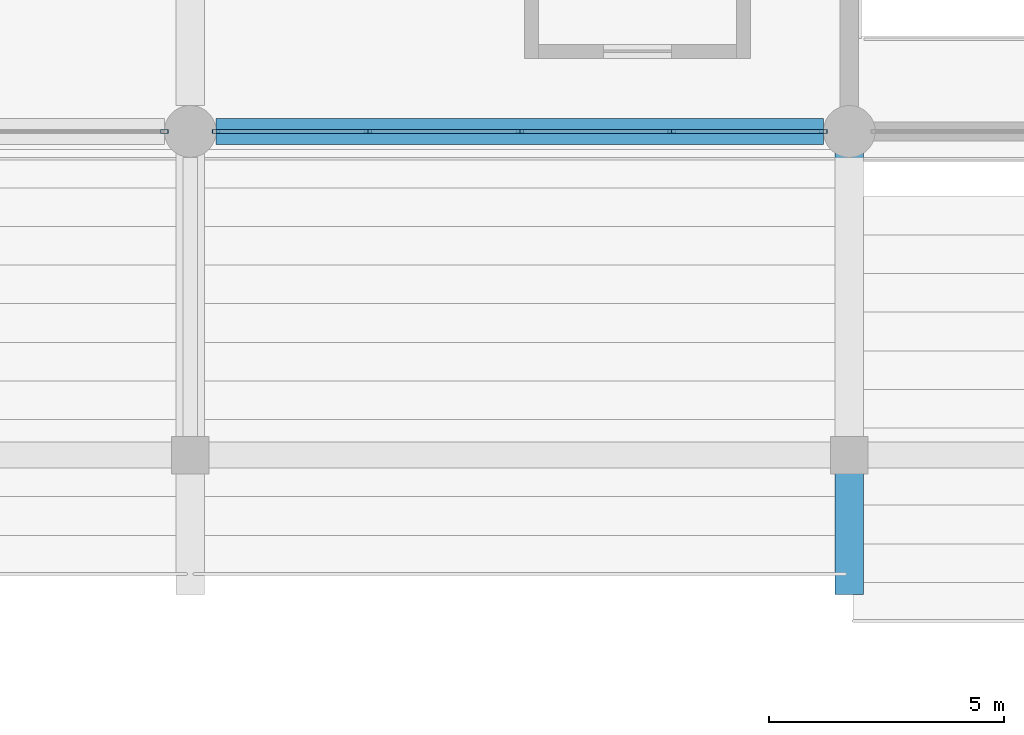
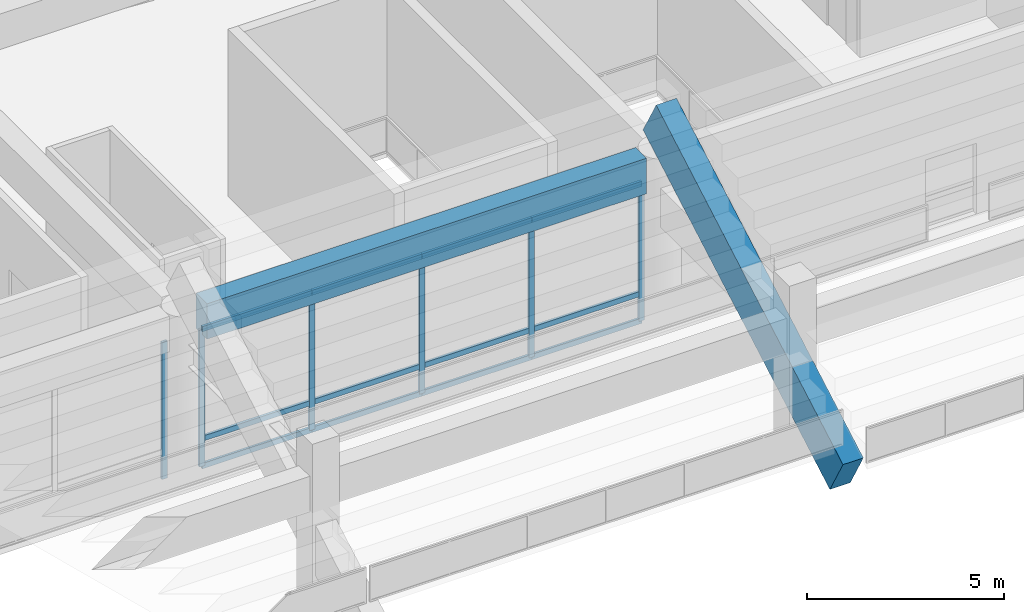
# One storey, part 51 of 90: 18 members, 2 beams, 2 elements without a shape of their own.
"""IFC4 building model written with IfcOpenShell, lengths in metres."""

from ifc_helpers import new_model, si_unit, direction, frame, origin, origin_2d, place, context, subcontext, project, spatial, rectangle, hollow_rectangle, extrude, material, material_profile, profile_set, type_object, element, aggregate, save


model = new_model("IFC4")

# Units and contexts
model_context = context("Model", 3, precision=1e-05, world=origin(), true_north=direction((0.0, 1.0)))
body_context = subcontext(model_context, "Body", "Model", "MODEL_VIEW")
ifc_project = project(units=[si_unit("LENGTHUNIT", "METRE"), si_unit("AREAUNIT", "SQUARE_METRE"), si_unit("VOLUMEUNIT", "CUBIC_METRE"), si_unit("PLANEANGLEUNIT", "RADIAN"), si_unit("MASSUNIT", "GRAM", prefix="KILO")], contexts=[model_context])

# Site, building, storey
site_placement = place(None, origin())
site = spatial("IfcSite", under=ifc_project, at=site_placement, CompositionType="ELEMENT")
building_placement = place(site_placement, origin())
building = spatial("IfcBuilding", under=site, at=building_placement, Name="Linyun Crest Stadium", CompositionType="ELEMENT")
storey_placement = place(building_placement, frame((0.0, 0.0, 21.0)))
storey = spatial("IfcBuildingStorey", under=building, at=storey_placement, Name="L05", CompositionType="ELEMENT", Elevation=21.0)

# Curtain wall, member
ifc_material_1 = material(Name="Verdigris steel and low-E curtain wall assembly", Category="steel")
curtain_wall_type = type_object("IfcCurtainWallType", Name="MCW03", PredefinedType="NOTDEFINED", material=ifc_material_1)
curtain_wall_1_placement = place(storey_placement, origin())
curtain_wall_1 = element("IfcCurtainWall", 1, at=curtain_wall_1_placement, inside=storey, type_object=curtain_wall_type, Name="CWR-137", PredefinedType="NOTDEFINED")
ifc_material_2 = material(Name="Aluminium thermally broken mullion", Category="aluminium")
ifc_material_profile_1 = material_profile(ifc_material_2, hollow_rectangle(XDim=0.080078125, YDim=0.159912109375, WallThickness=0.006103515625, at=origin_2d()), Name="RHS 160x80x6")
ifc_profile_set_1 = profile_set([ifc_material_profile_1], Name="Aluminium thermally broken mullion")
member_type_1 = type_object("IfcMemberType", Name="ML01", PredefinedType="MULLION", material=ifc_profile_set_1)
member_1_placement = place(storey_placement, frame((-0.550048828125, 91.5, 0.0), z_axis=(0.0, 0.0, 1.0), x_axis=(0.0, 1.0, 0.0)))
member_1 = element("IfcMember", 2, at=member_1_placement, type_object=member_type_1, Name="CWR-137 mullion 5", PredefinedType="MULLION", context=body_context, shape_type="SweptSolid", body=[
    extrude(hollow_rectangle(XDim=0.080078125, YDim=0.159912109375, WallThickness=0.006103515625, at=origin_2d()), origin(), (0.0, 0.0, 1.0), 4.25),
])
aggregate(curtain_wall_1, [member_1])

# Curtain wall, members
curtain_wall_2_placement = place(storey_placement, origin())
curtain_wall_2 = element("IfcCurtainWall", 3, at=curtain_wall_2_placement, inside=storey, type_object=curtain_wall_type, Name="CWR-144", PredefinedType="NOTDEFINED")
member_2_placement = place(storey_placement, frame((0.550048828125, 91.5, 0.0), z_axis=(0.0, 0.0, 1.0), x_axis=(0.0, 1.0, 0.0)))
member_2 = element("IfcMember", 4, at=member_2_placement, type_object=member_type_1, Name="CWR-144 mullion 1", PredefinedType="MULLION", context=body_context, shape_type="SweptSolid", body=[
    extrude(hollow_rectangle(XDim=0.080078125, YDim=0.159912109375, WallThickness=0.006103515625, at=origin_2d()), origin(), (0.0, 0.0, 1.0), 4.25),
])
member_3_placement = place(storey_placement, frame((3.77490234375, 91.5, 0.0), z_axis=(0.0, 0.0, 1.0), x_axis=(0.0, 1.0, 0.0)))
member_3 = element("IfcMember", 5, at=member_3_placement, type_object=member_type_1, Name="CWR-144 mullion 2", PredefinedType="MULLION", context=body_context, shape_type="SweptSolid", body=[
    extrude(hollow_rectangle(XDim=0.080078125, YDim=0.159912109375, WallThickness=0.006103515625, at=origin_2d()), origin(), (0.0, 0.0, 1.0), 4.25),
])
member_4_placement = place(storey_placement, frame((7.0, 91.5, 0.0), z_axis=(0.0, 0.0, 1.0), x_axis=(0.0, 1.0, 0.0)))
member_4 = element("IfcMember", 6, at=member_4_placement, type_object=member_type_1, Name="CWR-144 mullion 3", PredefinedType="MULLION", context=body_context, shape_type="SweptSolid", body=[
    extrude(hollow_rectangle(XDim=0.080078125, YDim=0.159912109375, WallThickness=0.006103515625, at=origin_2d()), origin(), (0.0, 0.0, 1.0), 4.25),
])
member_5_placement = place(storey_placement, frame((10.22509765625, 91.5, 0.0), z_axis=(0.0, 0.0, 1.0), x_axis=(0.0, 1.0, 0.0)))
member_5 = element("IfcMember", 7, at=member_5_placement, type_object=member_type_1, Name="CWR-144 mullion 4", PredefinedType="MULLION", context=body_context, shape_type="SweptSolid", body=[
    extrude(hollow_rectangle(XDim=0.080078125, YDim=0.159912109375, WallThickness=0.006103515625, at=origin_2d()), origin(), (0.0, 0.0, 1.0), 4.25),
])
member_6_placement = place(storey_placement, frame((13.449951171875, 91.5, 0.0), z_axis=(0.0, 0.0, 1.0), x_axis=(0.0, 1.0, 0.0)))
member_6 = element("IfcMember", 8, at=member_6_placement, type_object=member_type_1, Name="CWR-144 mullion 5", PredefinedType="MULLION", context=body_context, shape_type="SweptSolid", body=[
    extrude(hollow_rectangle(XDim=0.080078125, YDim=0.159912109375, WallThickness=0.006103515625, at=origin_2d()), origin(), (0.0, 0.0, 1.0), 4.25),
])

# Beams
ifc_material_3 = material(Name="Precast concrete C50", Category="concrete")
ifc_material_profile_2 = material_profile(ifc_material_3, rectangle(XDim=0.60009765625, YDim=1.35009765625, at=origin_2d()), Name="PCR 1350x600")
ifc_profile_set_2 = profile_set([ifc_material_profile_2], Name="Precast concrete C50")
beam_type_1 = type_object("IfcBeamType", Name="RB03", PredefinedType="USERDEFINED", material=ifc_profile_set_2)
beam_1_placement = place(storey_placement, frame((14.0, 82.0, 0.800048828125), z_axis=(0.0, 0.869371049884, 0.494159870511), x_axis=(-1.0, 0.0, 0.0)))
element("IfcBeam", 9, at=beam_1_placement, inside=storey, type_object=beam_type_1, Name="Precast raker beam RB03 V3 86", ObjectType="RAKER", PredefinedType="USERDEFINED", context=body_context, shape_type="SweptSolid", body=[
    extrude(rectangle(XDim=0.60009765625, YDim=1.35009765625, at=origin_2d()), origin(), (0.0, 0.0, 1.0), 10.927490234375),
])
ifc_material_4 = material(Name="Concrete C50", Category="concrete")
ifc_material_profile_3 = material_profile(ifc_material_4, rectangle(XDim=0.550048828125, YDim=1.10009765625, at=origin_2d()), Name="RCB 1100x550")
ifc_profile_set_3 = profile_set([ifc_material_profile_3], Name="Concrete C50")
beam_type_2 = type_object("IfcBeamType", Name="TB01", PredefinedType="USERDEFINED", material=ifc_profile_set_3)
beam_2_placement = place(storey_placement, frame((0.550048828125, 91.5, 4.635009765625), z_axis=(1.0, 0.0, 0.0), x_axis=(0.0, 1.0, 0.0)))
element("IfcBeam", 10, at=beam_2_placement, inside=storey, type_object=beam_type_2, Name="Frame beam TB01 L05 825", ObjectType="GIRDER", PredefinedType="USERDEFINED", context=body_context, shape_type="SweptSolid", body=[
    extrude(rectangle(XDim=0.550048828125, YDim=1.10009765625, at=origin_2d()), origin(), (0.0, 0.0, 1.0), 12.89990234375),
])

# Member
ifc_material_5 = material(Name="Aluminium thermally broken transom", Category="aluminium")
ifc_material_profile_4 = material_profile(ifc_material_5, hollow_rectangle(XDim=0.080078125, YDim=0.159912109375, WallThickness=0.006103515625, at=origin_2d()), Name="RHS 160x80x6")
ifc_profile_set_4 = profile_set([ifc_material_profile_4], Name="Aluminium thermally broken transom")
member_type_2 = type_object("IfcMemberType", Name="TR01", PredefinedType="USERDEFINED", material=ifc_profile_set_4)
member_7_placement = place(storey_placement, frame((0.550048828125, 91.5, 0.0), z_axis=(1.0, 0.0, 0.0), x_axis=(0.0, 1.0, 0.0)))
member_7 = element("IfcMember", 11, at=member_7_placement, type_object=member_type_2, Name="CWR-144 transom 1.1", ObjectType="TRANSOM", PredefinedType="USERDEFINED", context=body_context, shape_type="SweptSolid", body=[
    extrude(hollow_rectangle(XDim=0.080078125, YDim=0.159912109375, WallThickness=0.006103515625, at=origin_2d()), origin(), (0.0, 0.0, 1.0), 3.224853515625),
])

member_8_placement = place(storey_placement, frame((0.550048828125, 91.5, 0.85009765625), z_axis=(1.0, 0.0, 0.0), x_axis=(0.0, 1.0, 0.0)))
member_8 = element("IfcMember", 12, at=member_8_placement, type_object=member_type_2, Name="CWR-144 transom 1.2", ObjectType="TRANSOM", PredefinedType="USERDEFINED", context=body_context, shape_type="SweptSolid", body=[
    extrude(hollow_rectangle(XDim=0.080078125, YDim=0.159912109375, WallThickness=0.006103515625, at=origin_2d()), origin(), (0.0, 0.0, 1.0), 3.224853515625),
])

member_9_placement = place(storey_placement, frame((0.550048828125, 91.5, 4.25), z_axis=(1.0, 0.0, 0.0), x_axis=(0.0, 1.0, 0.0)))
member_9 = element("IfcMember", 13, at=member_9_placement, type_object=member_type_2, Name="CWR-144 transom 1.3", ObjectType="TRANSOM", PredefinedType="USERDEFINED", context=body_context, shape_type="SweptSolid", body=[
    extrude(hollow_rectangle(XDim=0.080078125, YDim=0.159912109375, WallThickness=0.006103515625, at=origin_2d()), origin(), (0.0, 0.0, 1.0), 3.224853515625),
])

member_10_placement = place(storey_placement, frame((3.77490234375, 91.5, 0.0), z_axis=(1.0, 0.0, 0.0), x_axis=(0.0, 1.0, 0.0)))
member_10 = element("IfcMember", 14, at=member_10_placement, type_object=member_type_2, Name="CWR-144 transom 2.1", ObjectType="TRANSOM", PredefinedType="USERDEFINED", context=body_context, shape_type="SweptSolid", body=[
    extrude(hollow_rectangle(XDim=0.080078125, YDim=0.159912109375, WallThickness=0.006103515625, at=origin_2d()), origin(), (0.0, 0.0, 1.0), 3.22509765625),
])

member_11_placement = place(storey_placement, frame((3.77490234375, 91.5, 0.85009765625), z_axis=(1.0, 0.0, 0.0), x_axis=(0.0, 1.0, 0.0)))
member_11 = element("IfcMember", 15, at=member_11_placement, type_object=member_type_2, Name="CWR-144 transom 2.2", ObjectType="TRANSOM", PredefinedType="USERDEFINED", context=body_context, shape_type="SweptSolid", body=[
    extrude(hollow_rectangle(XDim=0.080078125, YDim=0.159912109375, WallThickness=0.006103515625, at=origin_2d()), origin(), (0.0, 0.0, 1.0), 3.22509765625),
])

member_12_placement = place(storey_placement, frame((3.77490234375, 91.5, 4.25), z_axis=(1.0, 0.0, 0.0), x_axis=(0.0, 1.0, 0.0)))
member_12 = element("IfcMember", 16, at=member_12_placement, type_object=member_type_2, Name="CWR-144 transom 2.3", ObjectType="TRANSOM", PredefinedType="USERDEFINED", context=body_context, shape_type="SweptSolid", body=[
    extrude(hollow_rectangle(XDim=0.080078125, YDim=0.159912109375, WallThickness=0.006103515625, at=origin_2d()), origin(), (0.0, 0.0, 1.0), 3.22509765625),
])

member_13_placement = place(storey_placement, frame((7.0, 91.5, 0.0), z_axis=(1.0, 0.0, 0.0), x_axis=(0.0, 1.0, 0.0)))
member_13 = element("IfcMember", 17, at=member_13_placement, type_object=member_type_2, Name="CWR-144 transom 3.1", ObjectType="TRANSOM", PredefinedType="USERDEFINED", context=body_context, shape_type="SweptSolid", body=[
    extrude(hollow_rectangle(XDim=0.080078125, YDim=0.159912109375, WallThickness=0.006103515625, at=origin_2d()), origin(), (0.0, 0.0, 1.0), 3.22509765625),
])

member_14_placement = place(storey_placement, frame((7.0, 91.5, 0.85009765625), z_axis=(1.0, 0.0, 0.0), x_axis=(0.0, 1.0, 0.0)))
member_14 = element("IfcMember", 18, at=member_14_placement, type_object=member_type_2, Name="CWR-144 transom 3.2", ObjectType="TRANSOM", PredefinedType="USERDEFINED", context=body_context, shape_type="SweptSolid", body=[
    extrude(hollow_rectangle(XDim=0.080078125, YDim=0.159912109375, WallThickness=0.006103515625, at=origin_2d()), origin(), (0.0, 0.0, 1.0), 3.22509765625),
])

member_15_placement = place(storey_placement, frame((7.0, 91.5, 4.25), z_axis=(1.0, 0.0, 0.0), x_axis=(0.0, 1.0, 0.0)))
member_15 = element("IfcMember", 19, at=member_15_placement, type_object=member_type_2, Name="CWR-144 transom 3.3", ObjectType="TRANSOM", PredefinedType="USERDEFINED", context=body_context, shape_type="SweptSolid", body=[
    extrude(hollow_rectangle(XDim=0.080078125, YDim=0.159912109375, WallThickness=0.006103515625, at=origin_2d()), origin(), (0.0, 0.0, 1.0), 3.22509765625),
])

member_16_placement = place(storey_placement, frame((10.22509765625, 91.5, 0.0), z_axis=(1.0, 0.0, 0.0), x_axis=(0.0, 1.0, 0.0)))
member_16 = element("IfcMember", 20, at=member_16_placement, type_object=member_type_2, Name="CWR-144 transom 4.1", ObjectType="TRANSOM", PredefinedType="USERDEFINED", context=body_context, shape_type="SweptSolid", body=[
    extrude(hollow_rectangle(XDim=0.080078125, YDim=0.159912109375, WallThickness=0.006103515625, at=origin_2d()), origin(), (0.0, 0.0, 1.0), 3.224853515625),
])

member_17_placement = place(storey_placement, frame((10.22509765625, 91.5, 0.85009765625), z_axis=(1.0, 0.0, 0.0), x_axis=(0.0, 1.0, 0.0)))
member_17 = element("IfcMember", 21, at=member_17_placement, type_object=member_type_2, Name="CWR-144 transom 4.2", ObjectType="TRANSOM", PredefinedType="USERDEFINED", context=body_context, shape_type="SweptSolid", body=[
    extrude(hollow_rectangle(XDim=0.080078125, YDim=0.159912109375, WallThickness=0.006103515625, at=origin_2d()), origin(), (0.0, 0.0, 1.0), 3.224853515625),
])

member_18_placement = place(storey_placement, frame((10.22509765625, 91.5, 4.25), z_axis=(1.0, 0.0, 0.0), x_axis=(0.0, 1.0, 0.0)))
member_18 = element("IfcMember", 22, at=member_18_placement, type_object=member_type_2, Name="CWR-144 transom 4.3", ObjectType="TRANSOM", PredefinedType="USERDEFINED", context=body_context, shape_type="SweptSolid", body=[
    extrude(hollow_rectangle(XDim=0.080078125, YDim=0.159912109375, WallThickness=0.006103515625, at=origin_2d()), origin(), (0.0, 0.0, 1.0), 3.224853515625),
])

aggregate(curtain_wall_2, [member_2, member_3, member_4, member_5, member_6, member_7, member_8, member_9, member_10, member_11, member_12, member_13, member_14, member_15, member_16, member_17, member_18])

save(model, "model.ifc")
